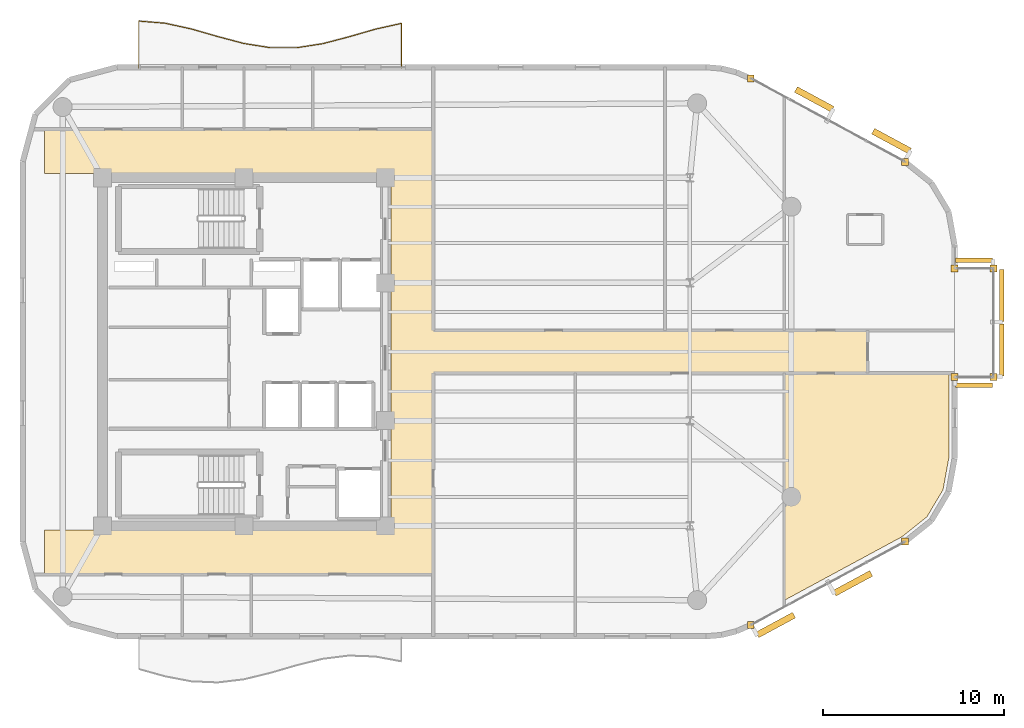
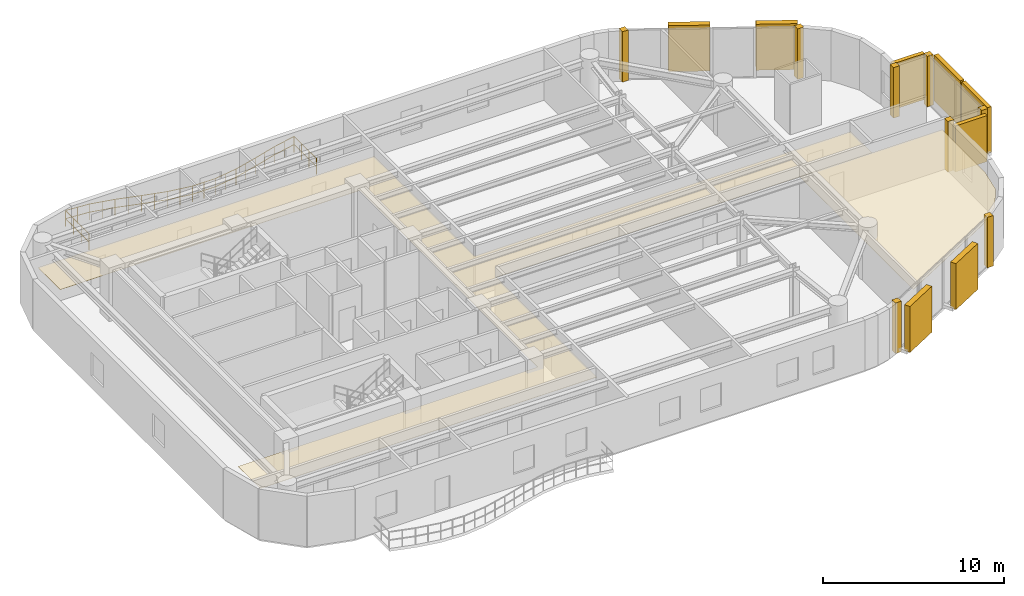
# One storey, part 15 of 15: 10 coverings, 8 shading devices, 1 railing.
"""IFC4 building model written with IfcOpenShell, lengths in metres."""

from ifc_helpers import new_model, si_unit, direction, frame, origin, origin_2d, place, context, subcontext, project, spatial, polyline, rectangle, circle, outline, extrude, material, layer, layer_set, type_object, element, save


model = new_model("IFC4")

# Units and contexts
model_context = context("Model", 3, precision=1e-05, world=origin(), true_north=direction((0.0, 1.0)))
body_context = subcontext(model_context, "Body", "Model", "MODEL_VIEW")
ifc_project = project(units=[si_unit("LENGTHUNIT", "METRE"), si_unit("AREAUNIT", "SQUARE_METRE"), si_unit("VOLUMEUNIT", "CUBIC_METRE"), si_unit("PLANEANGLEUNIT", "RADIAN"), si_unit("MASSUNIT", "GRAM", prefix="KILO")], contexts=[model_context])

# Site, building, storey
site_placement = place(None, origin())
site = spatial("IfcSite", under=ifc_project, at=site_placement, CompositionType="ELEMENT")
building_placement = place(site_placement, origin())
building = spatial("IfcBuilding", under=site, at=building_placement, Name="An Khanh Terracotta Commons", CompositionType="ELEMENT")
storey_placement = place(building_placement, frame((0.0, 0.0, 208.5)))
storey = spatial("IfcBuildingStorey", under=building, at=storey_placement, Name="L54", CompositionType="ELEMENT", Elevation=208.5)

# Coverings
ifc_material_1 = material(Name="Perforated Mineral-Fibre Acoustic Tile")
ifc_layer_1 = layer(ifc_material_1, 0.02001953125, Name="Perforated Mineral-Fibre Acoustic Tile")
ifc_layer_set_1 = layer_set([ifc_layer_1], Name="Perforated Mineral-Fibre Acoustic Tile")
covering_type_1 = type_object("IfcCoveringType", Name="CEIL-ACOUSTIC-18", PredefinedType="CEILING", material=ifc_layer_set_1)
covering_1_placement = place(storey_placement, frame((0.0, 0.0, 2.64990234375)))
element("IfcCovering", 1, at=covering_1_placement, inside=storey, type_object=covering_type_1, Name="L54 Corridor Ceiling", PredefinedType="CEILING", context=body_context, shape_type="SweptSolid", body=[
    extrude(outline(polyline([(18.39990234375, 11.719970703125), (18.39990234375, 14.179931640625), (37.5, 14.179931640625), (37.5, 33.820068359375), (18.39990234375, 33.820068359375), (18.39990234375, 36.280029296875), (37.5, 36.280029296875), (39.85009765625, 36.280029296875), (39.85009765625, 33.820068359375), (39.85009765625, 25.179931640625), (63.800048828125, 25.179931640625), (63.800048828125, 22.820068359375), (39.85009765625, 22.820068359375), (39.85009765625, 14.179931640625), (39.85009765625, 11.719970703125), (37.5, 11.719970703125), (18.39990234375, 11.719970703125)])), origin(), (0.0, 0.0, 1.0), 0.02001953125),
])
covering_2_placement = place(storey_placement, frame((0.0, 0.0, 2.64990234375)))
element("IfcCovering", 2, at=covering_2_placement, inside=storey, type_object=covering_type_1, Name="L54 Riverfront Reading Hall Ceiling", PredefinedType="CEILING", context=body_context, shape_type="SweptSolid", body=[
    extrude(outline(polyline([(68.280029296875, 18.1298828125), (67.964111328125, 16.389892578125), (67.074951171875, 14.89794921875), (65.695068359375, 13.7939453125), (59.199951171875, 10.284912109375), (59.199951171875, 22.820068359375), (63.800048828125, 22.820068359375), (68.280029296875, 22.820068359375), (68.280029296875, 18.1298828125)])), origin(), (0.0, 0.0, 1.0), 0.02001953125),
])
ifc_material_2 = material(Name="Fired Terracotta Rainscreen Cladding", Category="masonry")
ifc_layer_2 = layer(ifc_material_2, 0.080078125, Name="Fired Terracotta Rainscreen Cladding")
ifc_layer_set_2 = layer_set([ifc_layer_2], Name="Fired Terracotta Rainscreen Cladding")
covering_type_2 = type_object("IfcCoveringType", Name="COV-JAMB-TERRA", PredefinedType="CLADDING", material=ifc_layer_set_2)
for number, where, z_axis, x_axis, name in (
    (3, (57.35693359375, 8.925048828125, 0.0), (0.0, 0.0, 1.0), (1.0, 0.0, 0.0), "L54 CW-03 Curtain-Wall Jamb Closure JA"),
    (4, (65.8720703125, 13.52587890625, 0.0), (0.0, 0.0, 1.0), (1.0, 0.0, 0.0), "L54 CW-03 Curtain-Wall Jamb Closure JB"),
    (5, (70.75, 22.60009765625, 0.0), (0.0, 0.0, 1.0), (1.0, 0.0, 0.0), "L54 CW-04 Curtain-Wall Jamb Closure JA"),
    (6, (70.75, 28.60009765625, 0.0), (0.0, 0.0, 1.0), (1.0, 0.0, 0.0), "L54 CW-04 Curtain-Wall Jamb Closure JB"),
    (7, (68.60009765625, 22.60009765625, 0.0), (0.0, 0.0, 1.0), (1.0, 0.0, 0.0), "L54 CW-04 Curtain-Wall Jamb Closure JA"),
    (8, (68.60009765625, 28.60009765625, 0.0), (0.0, 0.0, 1.0), (1.0, 0.0, 0.0), "L54 CW-04 Curtain-Wall Jamb Closure JB"),
    (9, (65.8720703125, 34.47412109375, 0.0), (0.0, 0.0, 1.0), (1.0, 0.0, 0.0), "L54 CW-03 Curtain-Wall Jamb Closure JA"),
    (10, (57.35693359375, 39.074951171875, 0.0), (0.0, 0.0, 1.0), (1.0, 0.0, 0.0), "L54 CW-03 Curtain-Wall Jamb Closure JB"),
):
    element("IfcCovering", number, at=place(storey_placement, frame(where, z_axis=z_axis, x_axis=x_axis)), inside=storey, type_object=covering_type_2, Name=name, PredefinedType="CLADDING", context=body_context, shape_type="SweptSolid", body=[
        extrude(rectangle(XDim=0.3798828125, YDim=0.3798828125, at=origin_2d()), origin(), (0.0, 0.0, 1.0), 3.39990234375),
    ])

# Railing
ifc_material_3 = material(Name="Brushed Stainless Steel 316", Category="steel")
railing_type = type_object("IfcRailingType", Name="RAIL-BALUSTRADE-1100", PredefinedType="BALUSTRADE", material=ifc_material_3)
railing_placement = place(storey_placement, frame((38.10009765625, 39.639892578125, 0.0)))
element("IfcRailing", 11, at=railing_placement, inside=storey, type_object=railing_type, Name="L54 N Wave Balcony Guard Balustrade", PredefinedType="BALUSTRADE", context=body_context, shape_type="SweptSolid", body=[
    extrude(circle(Radius=0.02392578125, at=origin_2d()), frame((0.0, 0.0, 1.076171875), z_axis=(0.0, 1.0, 0.0), x_axis=(-1.0, 0.0, 0.0)), (0.0, 0.0, 1.0), 2.47412109375),
    extrude(circle(Radius=0.02392578125, at=origin_2d()), frame((0.0, 0.0, 0.52587890625), z_axis=(0.0, 1.0, 0.0), x_axis=(-1.0, 0.0, 0.0)), (0.0, 0.0, 1.0), 2.47412109375),
    extrude(circle(Radius=0.02392578125, at=origin_2d()), frame((0.0, 2.47412109375, 1.076171875), z_axis=(-0.976082553293, -0.217400205052, 0.0), x_axis=(0.217400205052, -0.976082553293, 0.0)), (0.0, 0.0, 1.0), 1.48583984375),
    extrude(circle(Radius=0.02392578125, at=origin_2d()), frame((0.0, 2.47412109375, 0.52587890625), z_axis=(-0.976082553293, -0.217400205052, 0.0), x_axis=(0.217400205052, -0.976082553293, 0.0)), (0.0, 0.0, 1.0), 1.48583984375),
    extrude(circle(Radius=0.02392578125, at=origin_2d()), frame((-1.4501953125, 2.151123046875, 1.076171875), z_axis=(-0.960874117493, -0.276985433431, 0.0), x_axis=(0.276985433431, -0.960874117493, 0.0)), (0.0, 0.0, 1.0), 1.509033203125),
    extrude(circle(Radius=0.02392578125, at=origin_2d()), frame((-1.4501953125, 2.151123046875, 0.52587890625), z_axis=(-0.960874117493, -0.276985433431, 0.0), x_axis=(0.276985433431, -0.960874117493, 0.0)), (0.0, 0.0, 1.0), 1.509033203125),
    extrude(circle(Radius=0.02392578125, at=origin_2d()), frame((-2.900146484375, 1.733154296875, 1.076171875), z_axis=(-0.96715043339, -0.254204719064, 0.0), x_axis=(0.254204719064, -0.96715043339, 0.0)), (0.0, 0.0, 1.0), 1.499267578125),
    extrude(circle(Radius=0.02392578125, at=origin_2d()), frame((-2.900146484375, 1.733154296875, 0.52587890625), z_axis=(-0.96715043339, -0.254204719064, 0.0), x_axis=(0.254204719064, -0.96715043339, 0.0)), (0.0, 0.0, 1.0), 1.499267578125),
    extrude(circle(Radius=0.02392578125, at=origin_2d()), frame((-4.35009765625, 1.35205078125, 1.076171875), z_axis=(-0.988288829033, -0.152594857084, 0.0), x_axis=(0.152594857084, -0.988288829033, 0.0)), (0.0, 0.0, 1.0), 1.467041015625),
    extrude(circle(Radius=0.02392578125, at=origin_2d()), frame((-4.35009765625, 1.35205078125, 0.52587890625), z_axis=(-0.988288829033, -0.152594857084, 0.0), x_axis=(0.152594857084, -0.988288829033, 0.0)), (0.0, 0.0, 1.0), 1.467041015625),
    extrude(circle(Radius=0.02392578125, at=origin_2d()), frame((-5.800048828125, 1.128173828125, 1.076171875), z_axis=(-0.99999637105, 0.002694046462, 0.0), x_axis=(-0.002694046462, -0.99999637105, 0.0)), (0.0, 0.0, 1.0), 1.449951171875),
    extrude(circle(Radius=0.02392578125, at=origin_2d()), frame((-5.800048828125, 1.128173828125, 0.52587890625), z_axis=(-0.99999637105, 0.002694046462, 0.0), x_axis=(-0.002694046462, -0.99999637105, 0.0)), (0.0, 0.0, 1.0), 1.449951171875),
    extrude(circle(Radius=0.02392578125, at=origin_2d()), frame((-7.25, 1.132080078125, 1.076171875), z_axis=(-0.987554496283, 0.157277197556, 0.0), x_axis=(-0.157277197556, -0.987554496283, 0.0)), (0.0, 0.0, 1.0), 1.468505859375),
    extrude(circle(Radius=0.02392578125, at=origin_2d()), frame((-7.25, 1.132080078125, 0.52587890625), z_axis=(-0.987554496283, 0.157277197556, 0.0), x_axis=(-0.157277197556, -0.987554496283, 0.0)), (0.0, 0.0, 1.0), 1.468505859375),
    extrude(circle(Radius=0.02392578125, at=origin_2d()), frame((-8.7001953125, 1.363037109375, 1.076171875), z_axis=(-0.966668506699, 0.256031244492, 0.0), x_axis=(-0.256031244492, -0.966668506699, 0.0)), (0.0, 0.0, 1.0), 1.5),
    extrude(circle(Radius=0.02392578125, at=origin_2d()), frame((-8.7001953125, 1.363037109375, 0.52587890625), z_axis=(-0.966668506699, 0.256031244492, 0.0), x_axis=(-0.256031244492, -0.966668506699, 0.0)), (0.0, 0.0, 1.0), 1.5),
    extrude(circle(Radius=0.02392578125, at=origin_2d()), frame((-10.150146484375, 1.7470703125, 1.076171875), z_axis=(-0.961046203514, 0.276387761509, 0.0), x_axis=(-0.276387761509, -0.961046203514, 0.0)), (0.0, 0.0, 1.0), 1.5087890625),
    extrude(circle(Radius=0.02392578125, at=origin_2d()), frame((-10.150146484375, 1.7470703125, 0.52587890625), z_axis=(-0.961046203514, 0.276387761509, 0.0), x_axis=(-0.276387761509, -0.961046203514, 0.0)), (0.0, 0.0, 1.0), 1.5087890625),
    extrude(circle(Radius=0.02392578125, at=origin_2d()), frame((-11.60009765625, 2.1640625, 1.076171875), z_axis=(-0.976767859209, 0.214300138163, 0.0), x_axis=(-0.214300138163, -0.976767859209, 0.0)), (0.0, 0.0, 1.0), 1.484375),
    extrude(circle(Radius=0.02392578125, at=origin_2d()), frame((-11.60009765625, 2.1640625, 0.52587890625), z_axis=(-0.976767859209, 0.214300138163, 0.0), x_axis=(-0.214300138163, -0.976767859209, 0.0)), (0.0, 0.0, 1.0), 1.484375),
    extrude(circle(Radius=0.02392578125, at=origin_2d()), frame((-13.050048828125, 2.482177734375, 1.076171875), z_axis=(-0.996709288689, 0.081059199602, 0.0), x_axis=(-0.081059199602, -0.996709288689, 0.0)), (0.0, 0.0, 1.0), 1.454833984375),
    extrude(circle(Radius=0.02392578125, at=origin_2d()), frame((-13.050048828125, 2.482177734375, 0.52587890625), z_axis=(-0.996709288689, 0.081059199602, 0.0), x_axis=(-0.081059199602, -0.996709288689, 0.0)), (0.0, 0.0, 1.0), 1.454833984375),
    extrude(circle(Radius=0.02392578125, at=origin_2d()), frame((-14.5, 2.60009765625, 1.076171875), z_axis=(0.0, -1.0, 0.0), x_axis=(1.0, 0.0, 0.0)), (0.0, 0.0, 1.0), 2.60009765625),
    extrude(circle(Radius=0.02392578125, at=origin_2d()), frame((-14.5, 2.60009765625, 0.52587890625), z_axis=(0.0, -1.0, 0.0), x_axis=(1.0, 0.0, 0.0)), (0.0, 0.0, 1.0), 2.60009765625),
    extrude(circle(Radius=0.02099609375, at=origin_2d()), origin(), (0.0, 0.0, 1.0), 1.052001953125),
    extrude(circle(Radius=0.02099609375, at=origin_2d()), frame((0.0, 0.82470703125, 0.0)), (0.0, 0.0, 1.0), 1.052001953125),
    extrude(circle(Radius=0.02099609375, at=origin_2d()), frame((0.0, 1.6494140625, 0.0)), (0.0, 0.0, 1.0), 1.052001953125),
    extrude(circle(Radius=0.02099609375, at=origin_2d()), frame((0.0, 2.47412109375, 0.0)), (0.0, 0.0, 1.0), 1.052001953125),
    extrude(circle(Radius=0.02099609375, at=origin_2d()), frame((-0.72509765625, 2.3125, 0.0)), (0.0, 0.0, 1.0), 1.052001953125),
    extrude(circle(Radius=0.02099609375, at=origin_2d()), frame((-1.4501953125, 2.151123046875, 0.0)), (0.0, 0.0, 1.0), 1.052001953125),
    extrude(circle(Radius=0.02099609375, at=origin_2d()), frame((-2.17529296875, 1.942138671875, 0.0)), (0.0, 0.0, 1.0), 1.052001953125),
    extrude(circle(Radius=0.02099609375, at=origin_2d()), frame((-2.900146484375, 1.733154296875, 0.0)), (0.0, 0.0, 1.0), 1.052001953125),
    extrude(circle(Radius=0.02099609375, at=origin_2d()), frame((-3.625, 1.54248046875, 0.0)), (0.0, 0.0, 1.0), 1.052001953125),
    extrude(circle(Radius=0.02099609375, at=origin_2d()), frame((-4.35009765625, 1.35205078125, 0.0)), (0.0, 0.0, 1.0), 1.052001953125),
    extrude(circle(Radius=0.02099609375, at=origin_2d()), frame((-5.0751953125, 1.240234375, 0.0)), (0.0, 0.0, 1.0), 1.052001953125),
    extrude(circle(Radius=0.02099609375, at=origin_2d()), frame((-5.800048828125, 1.128173828125, 0.0)), (0.0, 0.0, 1.0), 1.052001953125),
    extrude(circle(Radius=0.02099609375, at=origin_2d()), frame((-6.52490234375, 1.130126953125, 0.0)), (0.0, 0.0, 1.0), 1.052001953125),
    extrude(circle(Radius=0.02099609375, at=origin_2d()), frame((-7.25, 1.132080078125, 0.0)), (0.0, 0.0, 1.0), 1.052001953125),
    extrude(circle(Radius=0.02099609375, at=origin_2d()), frame((-7.97509765625, 1.24755859375, 0.0)), (0.0, 0.0, 1.0), 1.052001953125),
    extrude(circle(Radius=0.02099609375, at=origin_2d()), frame((-8.7001953125, 1.363037109375, 0.0)), (0.0, 0.0, 1.0), 1.052001953125),
    extrude(circle(Radius=0.02099609375, at=origin_2d()), frame((-9.42529296875, 1.55517578125, 0.0)), (0.0, 0.0, 1.0), 1.052001953125),
    extrude(circle(Radius=0.02099609375, at=origin_2d()), frame((-10.150146484375, 1.7470703125, 0.0)), (0.0, 0.0, 1.0), 1.052001953125),
    extrude(circle(Radius=0.02099609375, at=origin_2d()), frame((-10.875, 1.95556640625, 0.0)), (0.0, 0.0, 1.0), 1.052001953125),
    extrude(circle(Radius=0.02099609375, at=origin_2d()), frame((-11.60009765625, 2.1640625, 0.0)), (0.0, 0.0, 1.0), 1.052001953125),
    extrude(circle(Radius=0.02099609375, at=origin_2d()), frame((-12.3251953125, 2.3232421875, 0.0)), (0.0, 0.0, 1.0), 1.052001953125),
    extrude(circle(Radius=0.02099609375, at=origin_2d()), frame((-13.050048828125, 2.482177734375, 0.0)), (0.0, 0.0, 1.0), 1.052001953125),
    extrude(circle(Radius=0.02099609375, at=origin_2d()), frame((-13.77490234375, 2.541015625, 0.0)), (0.0, 0.0, 1.0), 1.052001953125),
    extrude(circle(Radius=0.02099609375, at=origin_2d()), frame((-14.5, 2.60009765625, 0.0)), (0.0, 0.0, 1.0), 1.052001953125),
    extrude(circle(Radius=0.02099609375, at=origin_2d()), frame((-14.5, 1.7333984375, 0.0)), (0.0, 0.0, 1.0), 1.052001953125),
    extrude(circle(Radius=0.02099609375, at=origin_2d()), frame((-14.5, 0.86669921875, 0.0)), (0.0, 0.0, 1.0), 1.052001953125),
    extrude(circle(Radius=0.02099609375, at=origin_2d()), frame((-14.5, 0.0, 0.0)), (0.0, 0.0, 1.0), 1.052001953125),
])

# Shading devices
ifc_material_4 = material(Name="Warm Hardwood Timber-Finish Aluminium", Category="wood")
shading_device_type_1 = type_object("IfcShadingDeviceType", Name="Shifted Box Timber-Toned Louvre Screen", PredefinedType="USERDEFINED", material=ifc_material_4)
for number, where, z_axis, x_axis, name in (
    (12, (71.199951171875, 24.10009765625, 0.14990234375), (0.0, 0.0, 1.0), (0.0, 1.0, 0.0), "L54 Louvre Screen 1"),
    (13, (71.199951171875, 27.10009765625, 0.14990234375), (0.0, 0.0, 1.0), (0.0, 1.0, 0.0), "L54 Louvre Screen 2"),
):
    element("IfcShadingDevice", number, at=place(storey_placement, frame(where, z_axis=z_axis, x_axis=x_axis)), inside=storey, type_object=shading_device_type_1, Name=name, ObjectType="LOUVRE", PredefinedType="USERDEFINED", context=body_context, shape_type="SweptSolid", body=[
        extrude(rectangle(XDim=2.8798828125, YDim=0.25, at=origin_2d()), origin(), (0.0, 0.0, 1.0), 3.10009765625),
    ])
for number, where, z_axis, x_axis, name in (
    (14, (69.675048828125, 22.14990234375, 0.14990234375), (0.0, 0.0, 1.0), (1.0, 0.0, 0.0), "L54 Louvre Screen 1"),
    (15, (69.675048828125, 29.050048828125, 0.14990234375), (0.0, 0.0, 1.0), (-1.0, 0.0, 0.0), "L54 Louvre Screen 1"),
):
    element("IfcShadingDevice", number, at=place(storey_placement, frame(where, z_axis=z_axis, x_axis=x_axis)), inside=storey, type_object=shading_device_type_1, Name=name, ObjectType="LOUVRE", PredefinedType="USERDEFINED", context=body_context, shape_type="SweptSolid", body=[
        extrude(rectangle(XDim=2.030029296875, YDim=0.25, at=origin_2d()), origin(), (0.0, 0.0, 1.0), 3.10009765625),
    ])
ifc_material_5 = material(Name="Extruded Fired Terracotta", Category="masonry")
shading_device_type_2 = type_object("IfcShadingDeviceType", Name="Terracotta Baguette Screen Assembly", PredefinedType="USERDEFINED", material=ifc_material_5)
for number, where, z_axis, x_axis, name in (
    (16, (58.72998046875, 8.927978515625, 0.14990234375), (0.0, 0.0, 1.0), (0.879780095306, 0.47538088298, 0.0), "L54 Terracotta Baguette Screen 1"),
    (17, (62.988037109375, 11.22900390625, 0.14990234375), (0.0, 0.0, 1.0), (0.879780095306, 0.47538088298, 0.0), "L54 Terracotta Baguette Screen 3"),
    (18, (65.116943359375, 35.62109375, 0.14990234375), (0.0, 0.0, 1.0), (-0.879780095306, 0.47538088298, 0.0), "L54 Terracotta Baguette Screen 1"),
    (19, (60.85888671875, 37.9208984375, 0.14990234375), (0.0, 0.0, 1.0), (-0.879780095306, 0.47538088298, 0.0), "L54 Terracotta Baguette Screen 3"),
):
    element("IfcShadingDevice", number, at=place(storey_placement, frame(where, z_axis=z_axis, x_axis=x_axis)), inside=storey, type_object=shading_device_type_2, Name=name, ObjectType="BAGUETTE", PredefinedType="USERDEFINED", context=body_context, shape_type="SweptSolid", body=[
        extrude(rectangle(XDim=2.300048828125, YDim=0.35009765625, at=origin_2d()), origin(), (0.0, 0.0, 1.0), 3.10009765625),
    ])

save(model, "model.ifc")
